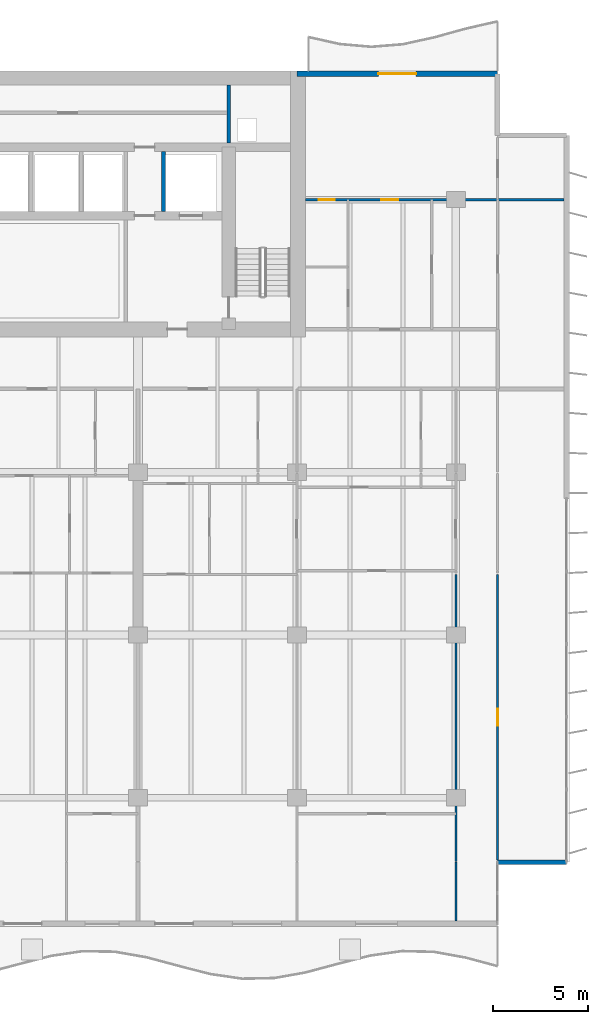
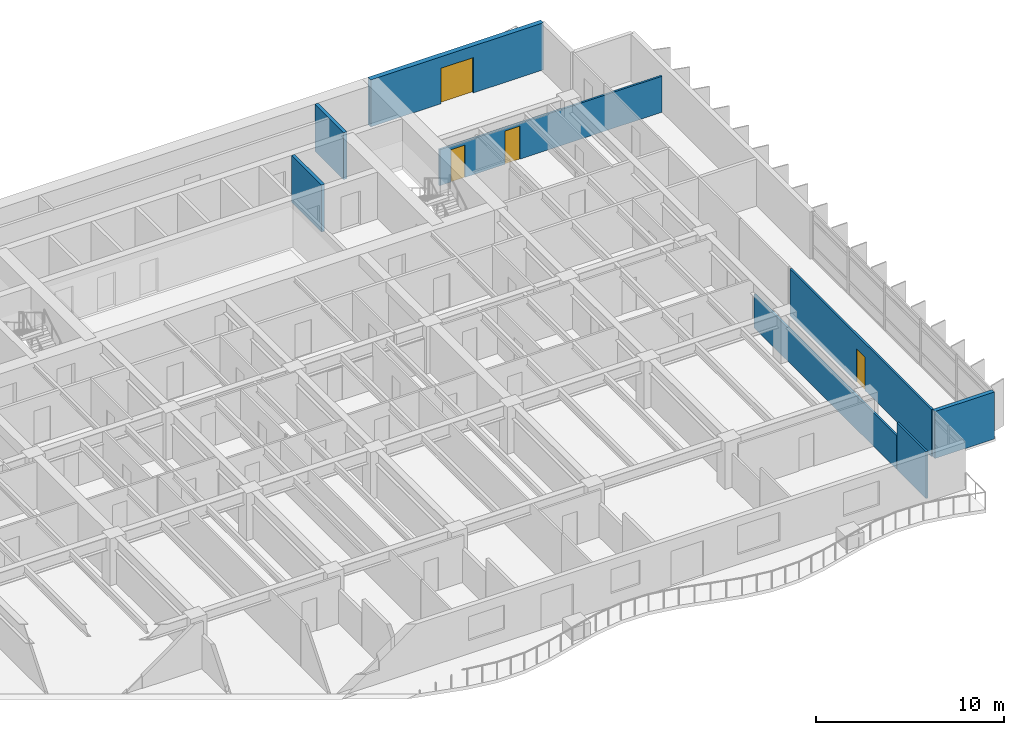
# One storey, part 13 of 19: 8 walls, 4 doors, 4 openings.
"""IFC4 building model written with IfcOpenShell, lengths in metres."""

from ifc_helpers import new_model, si_unit, direction, frame, frame_2d, origin, place, context, subcontext, project, spatial, rectangle, extrude, material, layer, layer_set, type_object, element, fill, save


model = new_model("IFC4")

# Units and contexts
model_context = context("Model", 3, precision=1e-05, world=origin(), true_north=direction((0.0, 1.0)))
body_context = subcontext(model_context, "Body", "Model", "MODEL_VIEW")
ifc_project = project(units=[si_unit("LENGTHUNIT", "METRE"), si_unit("AREAUNIT", "SQUARE_METRE"), si_unit("VOLUMEUNIT", "CUBIC_METRE"), si_unit("PLANEANGLEUNIT", "RADIAN"), si_unit("MASSUNIT", "GRAM", prefix="KILO")], contexts=[model_context])

# Site, building, storey
site_placement = place(None, origin())
site = spatial("IfcSite", under=ifc_project, at=site_placement, CompositionType="ELEMENT")
building_placement = place(site_placement, origin())
building = spatial("IfcBuilding", under=site, at=building_placement, Name="Caelmar Bay Residences", CompositionType="ELEMENT")
storey_placement = place(building_placement, frame((0.0, 0.0, 91.199951171875)))
storey = spatial("IfcBuildingStorey", under=building, at=storey_placement, Name="L24", CompositionType="ELEMENT", Elevation=91.199951171875)

# Wall
ifc_material_1 = material(Name="Precast concrete f'c 40 MPa (6,000 psi)", Category="concrete")
ifc_layer_1 = layer(ifc_material_1, 0.25)
ifc_layer_set_1 = layer_set([ifc_layer_1], Name="Precast concrete f'c 40 MPa (6,000 psi)")
wall_type_1 = type_object("IfcWallType", Name="W-EXT-250", PredefinedType="ELEMENTEDWALL", material=ifc_layer_set_1)
wall_1_placement = place(storey_placement, frame((70.10009765625, 8.800048828125, 0.0), z_axis=(0.0, 0.0, 1.0), x_axis=(1.0, 0.0, 0.0)))
element("IfcWall", 1, at=wall_1_placement, inside=storey, type_object=wall_type_1, Name="L24 SE Notch Return Wall", PredefinedType="ELEMENTEDWALL", context=body_context, shape_type="SweptSolid", body=[
    extrude(rectangle(XDim=3.64990234375, YDim=0.25, at=frame_2d((1.824951171875, 0.0))), origin(), (0.0, 0.0, 1.0), 3.050048828125),
])

# Wall, opening, door
ifc_layer_2 = layer(ifc_material_1, 0.300048828125)
ifc_layer_set_2 = layer_set([ifc_layer_2], Name="Precast concrete f'c 40 MPa (6,000 psi)")
wall_type_2 = type_object("IfcWallType", Name="W-EXT-300", PredefinedType="STANDARD", material=ifc_layer_set_2)
wall_2_placement = place(storey_placement, frame((59.5, 50.449951171875, 0.0), z_axis=(0.0, 0.0, 1.0), x_axis=(1.0, 0.0, 0.0)))
wall_2 = element("IfcWall", 2, at=wall_2_placement, inside=storey, type_object=wall_type_2, Name="L24 North-East Wing Exterior Wall", PredefinedType="STANDARD", context=body_context, shape_type="SweptSolid", body=[
    extrude(rectangle(XDim=10.60009765625, YDim=0.300048828125, at=frame_2d((5.300048828125, 0.0))), origin(), (0.0, 0.0, 1.0), 3.050048828125),
])
opening_1_placement = place(wall_2_placement, frame((4.300048828125, 0.0, 0.0)))
opening_1 = element("IfcOpeningElement", 3, at=opening_1_placement, cuts=wall_2, Name="Opening L24-BDNE", PredefinedType="OPENING", context=body_context, shape_type="SweptSolid", body=[
    extrude(rectangle(XDim=2.0, YDim=2.300048828125, at=frame_2d((1.0, 1.14990234375))), frame((0.0, 0.159912109375, 0.0), z_axis=(0.0, -1.0, 0.0), x_axis=(1.0, 0.0, 0.0)), (0.0, 0.0, 1.0), 0.320068359375),
])
ifc_material_2 = material(Name="Anodised bronze thermally broken sliding glass door", Category="glass")
ifc_layer_3 = layer(ifc_material_2, 0.050048828125)
ifc_layer_set_3 = layer_set([ifc_layer_3], Name="Anodised bronze thermally broken sliding glass door")
door_type_1 = type_object("IfcDoorType", Name="D-BAL-2000", OperationType="DOUBLE_DOOR_SLIDING", PredefinedType="DOOR", material=ifc_layer_set_3)
door_1_placement = place(opening_1_placement, origin())
door_1 = element("IfcDoor", 4, at=door_1_placement, inside=storey, type_object=door_type_1, Name="L24 North-East Balcony Door", OperationType="DOUBLE_DOOR_SLIDING", OverallHeight=2.300048828125, OverallWidth=2.0, PredefinedType="DOOR", context=body_context, shape_type="SweptSolid", body=[
    extrude(rectangle(XDim=2.0, YDim=2.300048828125, at=frame_2d((1.0, 1.14990234375))), frame((0.0, 0.02490234375, 0.0), z_axis=(0.0, -1.0, 0.0), x_axis=(1.0, 0.0, 0.0)), (0.0, 0.0, 1.0), 0.050048828125),
])
fill(opening_1, door_1)

# Walls
ifc_material_3 = material(Name="Fire-rated masonry and gypsum shaftliner assembly 200 mm", Category="masonry")
ifc_layer_4 = layer(ifc_material_3, 0.199951171875)
ifc_layer_set_4 = layer_set([ifc_layer_4], Name="Fire-rated masonry and gypsum shaftliner assembly 200 mm")
wall_type_3 = type_object("IfcWallType", Name="W-FSAE-200", PredefinedType="PARTITIONING", material=ifc_layer_set_4)
wall_3_placement = place(storey_placement, frame((52.449951171875, 43.169921875, 0.0), z_axis=(0.0, 0.0, 1.0), x_axis=(0.0, 1.0, 0.0)))
element("IfcWall", 5, at=wall_3_placement, inside=storey, type_object=wall_type_3, Name="L24 Partition Wall V072", PredefinedType="PARTITIONING", context=body_context, shape_type="SweptSolid", body=[
    extrude(rectangle(XDim=3.18505859375, YDim=0.199951171875, at=frame_2d((1.592529296875, 0.0))), origin(), (0.0, 0.0, 1.0), 3.050048828125),
])
wall_4_placement = place(storey_placement, frame((55.89990234375, 46.794921875, 0.0), z_axis=(0.0, 0.0, 1.0), x_axis=(0.0, 1.0, 0.0)))
element("IfcWall", 6, at=wall_4_placement, inside=storey, type_object=wall_type_3, Name="L24 Partition Wall V075", PredefinedType="PARTITIONING", context=body_context, shape_type="SweptSolid", body=[
    extrude(rectangle(XDim=3.06005859375, YDim=0.199951171875, at=frame_2d((1.530029296875, 0.0))), origin(), (0.0, 0.0, 1.0), 3.050048828125),
])
ifc_material_4 = material(Name="Acoustic metal-stud gypsum partition 120 mm")
ifc_layer_5 = layer(ifc_material_4, 0.1201171875)
ifc_layer_set_5 = layer_set([ifc_layer_5], Name="Acoustic metal-stud gypsum partition 120 mm")
wall_type_4 = type_object("IfcWallType", Name="W-PRT-120", PredefinedType="PARTITIONING", material=ifc_layer_set_5)
wall_5_placement = place(storey_placement, frame((67.89990234375, 5.695068359375, 0.0), z_axis=(0.0, 0.0, 1.0), x_axis=(0.0, 1.0, 0.0)))
element("IfcWall", 7, at=wall_5_placement, inside=storey, type_object=wall_type_4, Name="L24 Partition Wall V087", PredefinedType="PARTITIONING", context=body_context, shape_type="SweptSolid", body=[
    extrude(rectangle(XDim=3.10498046875, YDim=0.1201171875, at=frame_2d((1.552490234375, 0.0))), origin(), (0.0, 0.0, 1.0), 3.050048828125),
])
wall_6_placement = place(storey_placement, frame((67.89990234375, 8.840087890625, 0.0), z_axis=(0.0, 0.0, 1.0), x_axis=(0.0, 1.0, 0.0)))
element("IfcWall", 8, at=wall_6_placement, inside=storey, type_object=wall_type_4, Name="L24 Partition Wall V088", PredefinedType="PARTITIONING", context=body_context, shape_type="SweptSolid", body=[
    extrude(rectangle(XDim=15.159912109375, YDim=0.1201171875, at=frame_2d((7.580078125, 0.0))), origin(), (0.0, 0.0, 1.0), 2.174072265625),
])

# Wall, opening, door
wall_7_placement = place(storey_placement, frame((70.10009765625, 8.919921875, 0.0), z_axis=(0.0, 0.0, 1.0), x_axis=(0.0, 1.0, 0.0)))
wall_7 = element("IfcWall", 9, at=wall_7_placement, inside=storey, type_object=wall_type_4, Name="L24 Partition Wall V092", PredefinedType="PARTITIONING", context=body_context, shape_type="SweptSolid", body=[
    extrude(rectangle(XDim=15.080078125, YDim=0.1201171875, at=frame_2d((7.5400390625, 0.0))), origin(), (0.0, 0.0, 1.0), 3.050048828125),
])
opening_2_placement = place(wall_7_placement, frame((7.090087890625, 0.0, 0.0)))
opening_2 = element("IfcOpeningElement", 10, at=opening_2_placement, cuts=wall_7, Name="Opening D-L24-163", PredefinedType="OPENING", context=body_context, shape_type="SweptSolid", body=[
    extrude(rectangle(XDim=0.89990234375, YDim=2.14990234375, at=frame_2d((0.449951171875, 1.074951171875))), frame((0.0, 0.070068359375, 0.0), z_axis=(0.0, -1.0, 0.0), x_axis=(1.0, 0.0, 0.0)), (0.0, 0.0, 1.0), 0.14013671875),
])
ifc_material_5 = material(Name="Solid walnut timber interior door leaf and frame", Category="wood")
ifc_layer_6 = layer(ifc_material_5, 0.050048828125)
ifc_layer_set_6 = layer_set([ifc_layer_6], Name="Solid walnut timber interior door leaf and frame")
door_type_2 = type_object("IfcDoorType", Name="D-ROOM-900", OperationType="NOTDEFINED", PredefinedType="DOOR", material=ifc_layer_set_6)
door_2_placement = place(opening_2_placement, origin())
door_2 = element("IfcDoor", 11, at=door_2_placement, inside=storey, type_object=door_type_2, Name="L24 Residence 05 Penthouse East Salon Door", OperationType="SINGLE_SWING_RIGHT", OverallHeight=2.14990234375, OverallWidth=0.89990234375, PredefinedType="DOOR", context=body_context, shape_type="SweptSolid", body=[
    extrude(rectangle(XDim=0.89990234375, YDim=2.14990234375, at=frame_2d((0.449951171875, 1.074951171875))), frame((0.0, 0.02490234375, 0.0), z_axis=(0.0, -1.0, 0.0), x_axis=(1.0, 0.0, 0.0)), (0.0, 0.0, 1.0), 0.050048828125),
])
fill(opening_2, door_2)

# Wall, openings, doors
wall_8_placement = place(storey_placement, frame((59.945068359375, 43.800048828125, 0.0), z_axis=(0.0, 0.0, 1.0), x_axis=(1.0, 0.0, 0.0)))
wall_8 = element("IfcWall", 12, at=wall_8_placement, inside=storey, type_object=wall_type_4, Name="L24 Partition Wall H128", PredefinedType="PARTITIONING", context=body_context, shape_type="SweptSolid", body=[
    extrude(rectangle(XDim=13.659912109375, YDim=0.1201171875, at=frame_2d((6.830078125, 0.0))), origin(), (0.0, 0.0, 1.0), 2.339111328125),
])
opening_3_placement = place(wall_8_placement, frame((4.01708984375, 0.0, 0.0)))
opening_3 = element("IfcOpeningElement", 13, at=opening_3_placement, cuts=wall_8, Name="Opening D-L24-173", PredefinedType="OPENING", context=body_context, shape_type="SweptSolid", body=[
    extrude(rectangle(XDim=0.89990234375, YDim=2.14990234375, at=frame_2d((0.449951171875, 1.074951171875))), frame((0.0, 0.070068359375, 0.0), z_axis=(0.0, -1.0, 0.0), x_axis=(1.0, 0.0, 0.0)), (0.0, 0.0, 1.0), 0.14013671875),
])
opening_4_placement = place(wall_8_placement, frame((0.702392578125, 0.0, 0.0)))
opening_4 = element("IfcOpeningElement", 14, at=opening_4_placement, cuts=wall_8, Name="Opening D-L24-175", PredefinedType="OPENING", context=body_context, shape_type="SweptSolid", body=[
    extrude(rectangle(XDim=0.85009765625, YDim=2.10009765625, at=frame_2d((0.425048828125, 1.050048828125))), frame((0.0, 0.070068359375, 0.0), z_axis=(0.0, -1.0, 0.0), x_axis=(1.0, 0.0, 0.0)), (0.0, 0.0, 1.0), 0.14013671875),
])
ifc_layer_7 = layer(ifc_material_5, 0.050048828125)
ifc_layer_set_7 = layer_set([ifc_layer_7], Name="Solid walnut timber interior door leaf and frame")
door_type_3 = type_object("IfcDoorType", Name="D-BATH-850", OperationType="NOTDEFINED", PredefinedType="DOOR", material=ifc_layer_set_7)
door_3_placement = place(opening_4_placement, origin())
door_3 = element("IfcDoor", 15, at=door_3_placement, inside=storey, type_object=door_type_3, Name="L24 Residence EA Bathroom Door", OperationType="SINGLE_SWING_RIGHT", OverallHeight=2.10009765625, OverallWidth=0.85009765625, PredefinedType="DOOR", context=body_context, shape_type="SweptSolid", body=[
    extrude(rectangle(XDim=0.85009765625, YDim=2.10009765625, at=frame_2d((0.425048828125, 1.050048828125))), frame((0.0, 0.02490234375, 0.0), z_axis=(0.0, -1.0, 0.0), x_axis=(1.0, 0.0, 0.0)), (0.0, 0.0, 1.0), 0.050048828125),
])
fill(opening_4, door_3)
door_4_placement = place(opening_3_placement, origin())
door_4 = element("IfcDoor", 16, at=door_4_placement, inside=storey, type_object=door_type_2, Name="L24 Residence EA Studio Living and Sleeping Room Door", OperationType="SINGLE_SWING_RIGHT", OverallHeight=2.14990234375, OverallWidth=0.89990234375, PredefinedType="DOOR", context=body_context, shape_type="SweptSolid", body=[
    extrude(rectangle(XDim=0.89990234375, YDim=2.14990234375, at=frame_2d((0.449951171875, 1.074951171875))), frame((0.0, 0.02490234375, 0.0), z_axis=(0.0, -1.0, 0.0), x_axis=(1.0, 0.0, 0.0)), (0.0, 0.0, 1.0), 0.050048828125),
])
fill(opening_3, door_4)

save(model, "model.ifc")
